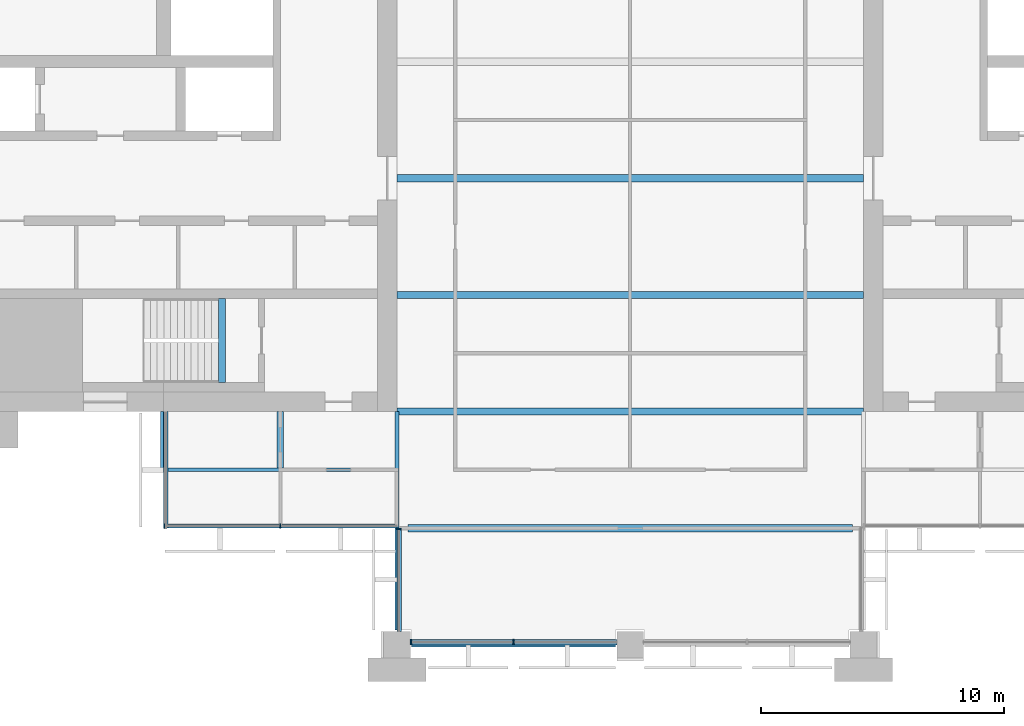
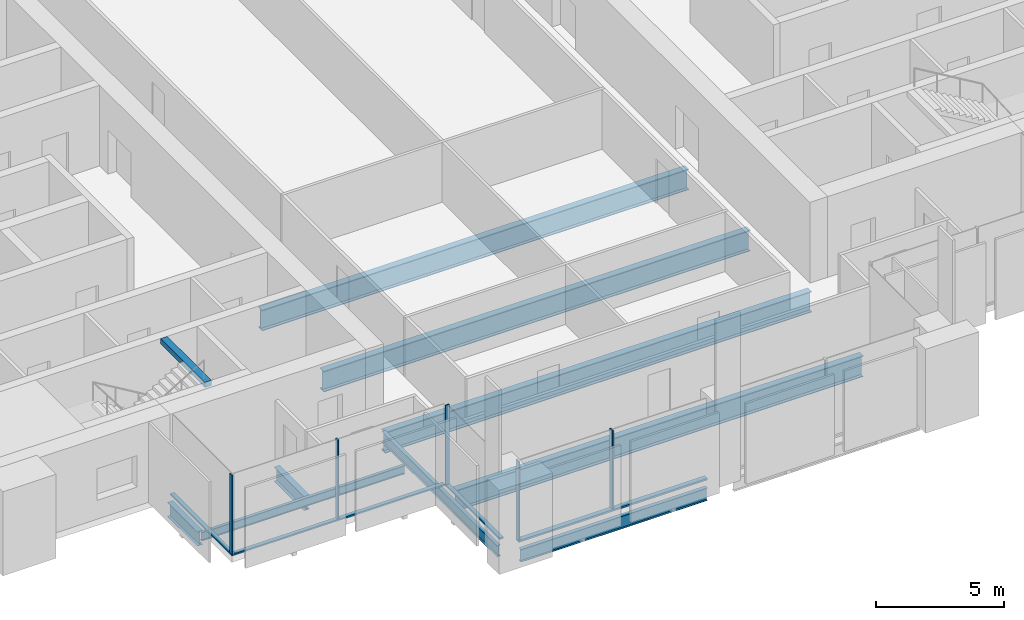
# One storey, part 2 of 13: 10 beams, 9 members, 4 elements without a shape of their own.
"""IFC4 building model written with IfcOpenShell, lengths in metres."""

from ifc_helpers import new_model, si_unit, direction, frame, origin, origin_2d, place, context, subcontext, project, spatial, rectangle, i_section, extrude, material, material_profile, profile_set, type_object, element, aggregate, save


model = new_model("IFC4")

# Units and contexts
model_context = context("Model", 3, precision=1e-05, world=origin(), true_north=direction((0.0, 1.0)))
body_context = subcontext(model_context, "Body", "Model", "MODEL_VIEW")
ifc_project = project(units=[si_unit("LENGTHUNIT", "METRE"), si_unit("AREAUNIT", "SQUARE_METRE"), si_unit("VOLUMEUNIT", "CUBIC_METRE"), si_unit("PLANEANGLEUNIT", "RADIAN"), si_unit("MASSUNIT", "GRAM", prefix="KILO")], contexts=[model_context])

# Site, building, storey
site_placement = place(None, origin())
site = spatial("IfcSite", under=ifc_project, at=site_placement, CompositionType="ELEMENT")
building_placement = place(site_placement, origin())
building = spatial("IfcBuilding", under=site, at=building_placement, Name="Baori Bourse Tower", CompositionType="ELEMENT")
storey_placement = place(building_placement, frame((0.0, 0.0, 193.199951171875)))
storey = spatial("IfcBuildingStorey", under=building, at=storey_placement, Name="L41", CompositionType="ELEMENT", Elevation=193.199951171875)

# Curtain wall, members
ifc_material_1 = material(Name="Pale anodised aluminium", Category="aluminium")
curtain_wall_type_1 = type_object("IfcCurtainWallType", Name="CW2 Curtain wall", PredefinedType="NOTDEFINED", material=ifc_material_1)
curtain_wall_1_placement = place(storey_placement, origin())
curtain_wall_1 = element("IfcCurtainWall", 1, at=curtain_wall_1_placement, inside=storey, type_object=curtain_wall_type_1, Name="Curtain wall CW2 L41 9", PredefinedType="NOTDEFINED")
ifc_material_2 = material(Name="Pale anodised aluminium", Category="aluminium")
ifc_material_profile_1 = material_profile(ifc_material_2, rectangle(XDim=0.179931640625, YDim=0.054931640625, at=origin_2d()), Name="Mullion 55x180")
ifc_profile_set_1 = profile_set([ifc_material_profile_1], Name="Pale anodised aluminium")
member_type_1 = type_object("IfcMemberType", Name="CW2 Curtain wall mullion", PredefinedType="MULLION", material=ifc_profile_set_1)
member_1_placement = place(storey_placement, frame((9.62744140625, 4.889892578125, 0.070068359375), z_axis=(0.0, 0.0, 1.0), x_axis=(0.0, 1.0, 0.0)))
member_1 = element("IfcMember", 2, at=member_1_placement, type_object=member_type_1, Name="Curtain wall CW2 mullion", PredefinedType="MULLION", context=body_context, shape_type="SweptSolid", body=[
    extrude(rectangle(XDim=0.179931640625, YDim=0.054931640625, at=origin_2d()), origin(), (0.0, 0.0, 1.0), 3.77001953125),
])
member_2_placement = place(storey_placement, frame((14.39990234375, 4.889892578125, 0.070068359375), z_axis=(0.0, 0.0, 1.0), x_axis=(0.0, 1.0, 0.0)))
member_2 = element("IfcMember", 3, at=member_2_placement, type_object=member_type_1, Name="Curtain wall CW2 mullion", PredefinedType="MULLION", context=body_context, shape_type="SweptSolid", body=[
    extrude(rectangle(XDim=0.179931640625, YDim=0.054931640625, at=origin_2d()), origin(), (0.0, 0.0, 1.0), 3.77001953125),
])

# Curtain wall, member
curtain_wall_2_placement = place(storey_placement, origin())
curtain_wall_2 = element("IfcCurtainWall", 4, at=curtain_wall_2_placement, inside=storey, type_object=curtain_wall_type_1, Name="Curtain wall CW2 L41 10", PredefinedType="NOTDEFINED")
member_3_placement = place(storey_placement, frame((19.2900390625, 4.7724609375, 0.070068359375), z_axis=(0.0, 0.0, 1.0), x_axis=(1.0, 0.0, 0.0)))
member_3 = element("IfcMember", 5, at=member_3_placement, type_object=member_type_1, Name="Curtain wall CW2 mullion", PredefinedType="MULLION", context=body_context, shape_type="SweptSolid", body=[
    extrude(rectangle(XDim=0.179931640625, YDim=0.054931640625, at=origin_2d()), origin(), (0.0, 0.0, 1.0), 3.77001953125),
])

curtain_wall_3_placement = place(storey_placement, origin())
curtain_wall_3 = element("IfcCurtainWall", 6, at=curtain_wall_3_placement, inside=storey, type_object=curtain_wall_type_1, Name="Curtain wall CW2 L41 8", PredefinedType="NOTDEFINED")
ifc_material_3 = material(Name="Pale anodised aluminium", Category="aluminium")
ifc_material_profile_2 = material_profile(ifc_material_3, rectangle(XDim=0.179931640625, YDim=0.070068359375, at=origin_2d()), Name="Transom 70x180")
ifc_profile_set_2 = profile_set([ifc_material_profile_2], Name="Pale anodised aluminium")
member_type_2 = type_object("IfcMemberType", Name="CW2 Curtain wall transom", PredefinedType="USERDEFINED", material=ifc_profile_set_2)
member_4_placement = place(storey_placement, frame((9.68994140625, 9.60009765625, 0.03515625), z_axis=(0.0, -1.0, 0.0), x_axis=(1.0, 0.0, 0.0)))
member_4 = element("IfcMember", 7, at=member_4_placement, type_object=member_type_2, Name="Curtain wall CW2 sill rail", ObjectType="TRANSOM", PredefinedType="USERDEFINED", context=body_context, shape_type="SweptSolid", body=[
    extrude(rectangle(XDim=0.179931640625, YDim=0.070068359375, at=origin_2d()), origin(), (0.0, 0.0, 1.0), 4.800048828125),
])
aggregate(curtain_wall_3, [member_4])

# Member
member_5_placement = place(storey_placement, frame((9.60009765625, 4.889892578125, 0.03515625), z_axis=(1.0, 0.0, 0.0), x_axis=(0.0, 1.0, 0.0)))
member_5 = element("IfcMember", 8, at=member_5_placement, type_object=member_type_2, Name="Curtain wall CW2 sill rail", ObjectType="TRANSOM", PredefinedType="USERDEFINED", context=body_context, shape_type="SweptSolid", body=[
    extrude(rectangle(XDim=0.179931640625, YDim=0.070068359375, at=origin_2d()), origin(), (0.0, 0.0, 1.0), 9.599853515625),
])

aggregate(curtain_wall_1, [member_5, member_1, member_2])

member_6_placement = place(storey_placement, frame((19.2900390625, 4.800048828125, 0.03515625), z_axis=(0.0, -1.0, 0.0), x_axis=(1.0, 0.0, 0.0)))
member_6 = element("IfcMember", 9, at=member_6_placement, type_object=member_type_2, Name="Curtain wall CW2 sill rail", ObjectType="TRANSOM", PredefinedType="USERDEFINED", context=body_context, shape_type="SweptSolid", body=[
    extrude(rectangle(XDim=0.179931640625, YDim=0.070068359375, at=origin_2d()), origin(), (0.0, 0.0, 1.0), 4.25),
])

aggregate(curtain_wall_2, [member_6, member_3])

# Curtain wall, members
ifc_material_4 = material(Name="Pale anodised aluminium", Category="aluminium")
curtain_wall_type_2 = type_object("IfcCurtainWallType", Name="CW5 Curtain wall", PredefinedType="NOTDEFINED", material=ifc_material_4)
curtain_wall_4_placement = place(storey_placement, origin())
curtain_wall_4 = element("IfcCurtainWall", 10, at=curtain_wall_4_placement, inside=storey, type_object=curtain_wall_type_2, Name="Curtain wall CW5 L41 11", PredefinedType="NOTDEFINED")
ifc_material_5 = material(Name="Pale anodised aluminium", Category="aluminium")
ifc_material_profile_3 = material_profile(ifc_material_5, rectangle(XDim=0.219970703125, YDim=0.06494140625, at=origin_2d()), Name="Mullion 65x220")
ifc_profile_set_3 = profile_set([ifc_material_profile_3], Name="Pale anodised aluminium")
member_type_3 = type_object("IfcMemberType", Name="CW5 Curtain wall mullion", PredefinedType="MULLION", material=ifc_profile_set_3)
member_7_placement = place(storey_placement, frame((19.782470703125, 0.110107421875, 0.0849609375), z_axis=(0.0, 0.0, 1.0), x_axis=(0.0, 1.0, 0.0)))
member_7 = element("IfcMember", 11, at=member_7_placement, type_object=member_type_3, Name="Curtain wall CW5 mullion", PredefinedType="MULLION", context=body_context, shape_type="SweptSolid", body=[
    extrude(rectangle(XDim=0.219970703125, YDim=0.06494140625, at=origin_2d()), origin(), (0.0, 0.0, 1.0), 3.755126953125),
])
member_8_placement = place(storey_placement, frame((24.0, 0.110107421875, 0.0849609375), z_axis=(0.0, 0.0, 1.0), x_axis=(0.0, 1.0, 0.0)))
member_8 = element("IfcMember", 12, at=member_8_placement, type_object=member_type_3, Name="Curtain wall CW5 mullion", PredefinedType="MULLION", context=body_context, shape_type="SweptSolid", body=[
    extrude(rectangle(XDim=0.219970703125, YDim=0.06494140625, at=origin_2d()), origin(), (0.0, 0.0, 1.0), 3.755126953125),
])
ifc_material_6 = material(Name="Pale anodised aluminium", Category="aluminium")
ifc_material_profile_4 = material_profile(ifc_material_6, rectangle(XDim=0.219970703125, YDim=0.0849609375, at=origin_2d()), Name="Transom 85x220")
ifc_profile_set_4 = profile_set([ifc_material_profile_4], Name="Pale anodised aluminium")
member_type_4 = type_object("IfcMemberType", Name="CW5 Curtain wall transom", PredefinedType="USERDEFINED", material=ifc_profile_set_4)
member_9_placement = place(storey_placement, frame((19.75, 0.110107421875, 0.04248046875), z_axis=(1.0, 0.0, 0.0), x_axis=(0.0, 1.0, 0.0)))
member_9 = element("IfcMember", 13, at=member_9_placement, type_object=member_type_4, Name="Curtain wall CW5 sill rail", ObjectType="TRANSOM", PredefinedType="USERDEFINED", context=body_context, shape_type="SweptSolid", body=[
    extrude(rectangle(XDim=0.219970703125, YDim=0.0849609375, at=origin_2d()), origin(), (0.0, 0.0, 1.0), 8.5),
])
aggregate(curtain_wall_4, [member_9, member_7, member_8])

# Beams
ifc_material_7 = material(Name="Steel A992 Gr 50", Category="steel")
ifc_material_profile_5 = material_profile(ifc_material_7, i_section(OverallWidth=0.25390625, OverallDepth=0.67822265625, WebThickness=0.01171875, FlangeThickness=0.016357421875, at=origin_2d()), Name="W27x84")
ifc_profile_set_5 = profile_set([ifc_material_profile_5], Name="Steel A992 Gr 50")
beam_type_1 = type_object("IfcBeamType", Name="Core bracket W27x84", PredefinedType="BEAM", material=ifc_profile_set_5)
for number, where, z_axis, x_axis, name in (
    (14, (9.60009765625, 7.270263671875, -0.63916015625), (0.0, 1.0, 0.0), (-1.0, 0.0, 0.0), "Core bracket L41"),
    (15, (14.39990234375, 7.270263671875, -0.63916015625), (0.0, 1.0, 0.0), (-1.0, 0.0, 0.0), "Core bracket L41"),
):
    element("IfcBeam", number, at=place(storey_placement, frame(where, z_axis=z_axis, x_axis=x_axis)), inside=storey, type_object=beam_type_1, Name=name, PredefinedType="BEAM", context=body_context, shape_type="SweptSolid", body=[
        extrude(i_section(OverallWidth=0.25390625, OverallDepth=0.67822265625, WebThickness=0.01171875, FlangeThickness=0.016357421875, at=origin_2d()), origin(), (0.0, 0.0, 1.0), 2.329833984375),
    ])
ifc_material_8 = material(Name="Steel A992 Gr 50", Category="steel")
ifc_material_profile_6 = material_profile(ifc_material_8, i_section(OverallWidth=0.177978515625, OverallDepth=0.599365234375, WebThickness=0.010009765625, FlangeThickness=0.012939453125, at=origin_2d()), Name="W24x55")
ifc_profile_set_6 = profile_set([ifc_material_profile_6], Name="Steel A992 Gr 50")
beam_type_2 = type_object("IfcBeamType", Name="Edge beam W24x55", PredefinedType="BEAM", material=ifc_profile_set_6)
beam_1_placement = place(storey_placement, frame((19.800048828125, 0.0, -0.599609375), z_axis=(1.0, 0.0, 0.0), x_axis=(0.0, 1.0, 0.0)))
element("IfcBeam", 16, at=beam_1_placement, inside=storey, type_object=beam_type_2, Name="Edge beam L41", PredefinedType="BEAM", context=body_context, shape_type="SweptSolid", body=[
    extrude(i_section(OverallWidth=0.177978515625, OverallDepth=0.599365234375, WebThickness=0.010009765625, FlangeThickness=0.012939453125, at=origin_2d()), origin(), (0.0, 0.0, 1.0), 8.39990234375),
])
ifc_material_9 = material(Name="Steel A992 Gr 50", Category="steel")
ifc_material_profile_7 = material_profile(ifc_material_9, i_section(OverallWidth=0.2998046875, OverallDepth=0.990478515625, WebThickness=0.0166015625, FlangeThickness=0.030517578125, at=origin_2d()), Name="W40x183")
ifc_profile_set_7 = profile_set([ifc_material_profile_7], Name="Steel A992 Gr 50")
beam_type_3 = type_object("IfcBeamType", Name="Floor beam W40x183", PredefinedType="BEAM", material=ifc_profile_set_7)
beam_2_placement = place(storey_placement, frame((19.64990234375, 4.800048828125, -0.795166015625), z_axis=(1.0, 0.0, 0.0), x_axis=(0.0, 1.0, 0.0)))
element("IfcBeam", 17, at=beam_2_placement, inside=storey, type_object=beam_type_3, Name="Floor beam L41", PredefinedType="BEAM", context=body_context, shape_type="SweptSolid", body=[
    extrude(i_section(OverallWidth=0.2998046875, OverallDepth=0.990478515625, WebThickness=0.0166015625, FlangeThickness=0.030517578125, at=origin_2d()), origin(), (0.0, 0.0, 1.0), 18.300048828125),
])
for number, where, z_axis, x_axis, name in (
    (18, (19.199951171875, 9.60009765625, -0.795166015625), (1.0, 0.0, 0.0), (0.0, 1.0, 0.0), "Floor beam L41"),
    (19, (19.199951171875, 14.39990234375, -0.795166015625), (1.0, 0.0, 0.0), (0.0, 1.0, 0.0), "Floor beam L41"),
    (20, (19.199951171875, 19.199951171875, -0.795166015625), (1.0, 0.0, 0.0), (0.0, 1.0, 0.0), "Floor beam L41"),
):
    element("IfcBeam", number, at=place(storey_placement, frame(where, z_axis=z_axis, x_axis=x_axis)), inside=storey, type_object=beam_type_3, Name=name, PredefinedType="BEAM", context=body_context, shape_type="SweptSolid", body=[
        extrude(i_section(OverallWidth=0.2998046875, OverallDepth=0.990478515625, WebThickness=0.0166015625, FlangeThickness=0.030517578125, at=origin_2d()), origin(), (0.0, 0.0, 1.0), 19.199951171875),
    ])
ifc_material_10 = material(Name="Steel A992 Gr 50", Category="steel")
ifc_material_profile_8 = material_profile(ifc_material_10, i_section(OverallWidth=0.1650390625, OverallDepth=0.52587890625, WebThickness=0.0087890625, FlangeThickness=0.011474609375, at=origin_2d()), Name="W21x44")
ifc_profile_set_8 = profile_set([ifc_material_profile_8], Name="Steel A992 Gr 50")
beam_type_4 = type_object("IfcBeamType", Name="Girder W21x44", PredefinedType="BEAM", material=ifc_profile_set_8)
beam_3_placement = place(storey_placement, frame((19.199951171875, 0.60009765625, -0.562744140625), z_axis=(0.0, 1.0, 0.0), x_axis=(-1.0, 0.0, 0.0)))
element("IfcBeam", 21, at=beam_3_placement, inside=storey, type_object=beam_type_4, Name="Girder L41", PredefinedType="BEAM", context=body_context, shape_type="SweptSolid", body=[
    extrude(i_section(OverallWidth=0.1650390625, OverallDepth=0.52587890625, WebThickness=0.0087890625, FlangeThickness=0.011474609375, at=origin_2d()), origin(), (0.0, 0.0, 1.0), 9.0),
])
ifc_material_11 = material(Name="Concrete f'c 50 MPa", Category="concrete")
ifc_material_profile_9 = material_profile(ifc_material_11, rectangle(XDim=0.300048828125, YDim=0.25, at=origin_2d()), Name="RC 300x250")
ifc_profile_set_9 = profile_set([ifc_material_profile_9], Name="Concrete f'c 50 MPa")
beam_type_5 = type_object("IfcBeamType", Name="Stair nib beam RC 300x250", PredefinedType="BEAM", material=ifc_profile_set_9)
beam_4_placement = place(storey_placement, frame((12.0, 10.800048828125, 3.715087890625), z_axis=(0.0, 1.0, 0.0), x_axis=(-1.0, 0.0, 0.0)))
element("IfcBeam", 22, at=beam_4_placement, inside=storey, type_object=beam_type_5, Name="Stair WA nib beam L42", PredefinedType="BEAM", context=body_context, shape_type="SweptSolid", body=[
    extrude(rectangle(XDim=0.300048828125, YDim=0.25, at=origin_2d()), origin(), (0.0, 0.0, 1.0), 3.449951171875),
])
ifc_material_12 = material(Name="Steel A992 Gr 50", Category="steel")
ifc_material_profile_10 = material_profile(ifc_material_12, i_section(OverallWidth=0.140380859375, OverallDepth=0.40380859375, WebThickness=0.007080078125, FlangeThickness=0.01123046875, at=origin_2d()), Name="W16x31")
ifc_profile_set_10 = profile_set([ifc_material_profile_10], Name="Steel A992 Gr 50")
beam_type_6 = type_object("IfcBeamType", Name="Trimmer beam W16x31", PredefinedType="BEAM", material=ifc_profile_set_10)
beam_5_placement = place(storey_placement, frame((9.60009765625, 7.199951171875, -0.501953125), z_axis=(1.0, 0.0, 0.0), x_axis=(0.0, 1.0, 0.0)))
element("IfcBeam", 23, at=beam_5_placement, inside=storey, type_object=beam_type_6, Name="Trimmer beam L41", PredefinedType="BEAM", context=body_context, shape_type="SweptSolid", body=[
    extrude(i_section(OverallWidth=0.140380859375, OverallDepth=0.40380859375, WebThickness=0.007080078125, FlangeThickness=0.01123046875, at=origin_2d()), origin(), (0.0, 0.0, 1.0), 9.14990234375),
])

save(model, "model.ifc")
